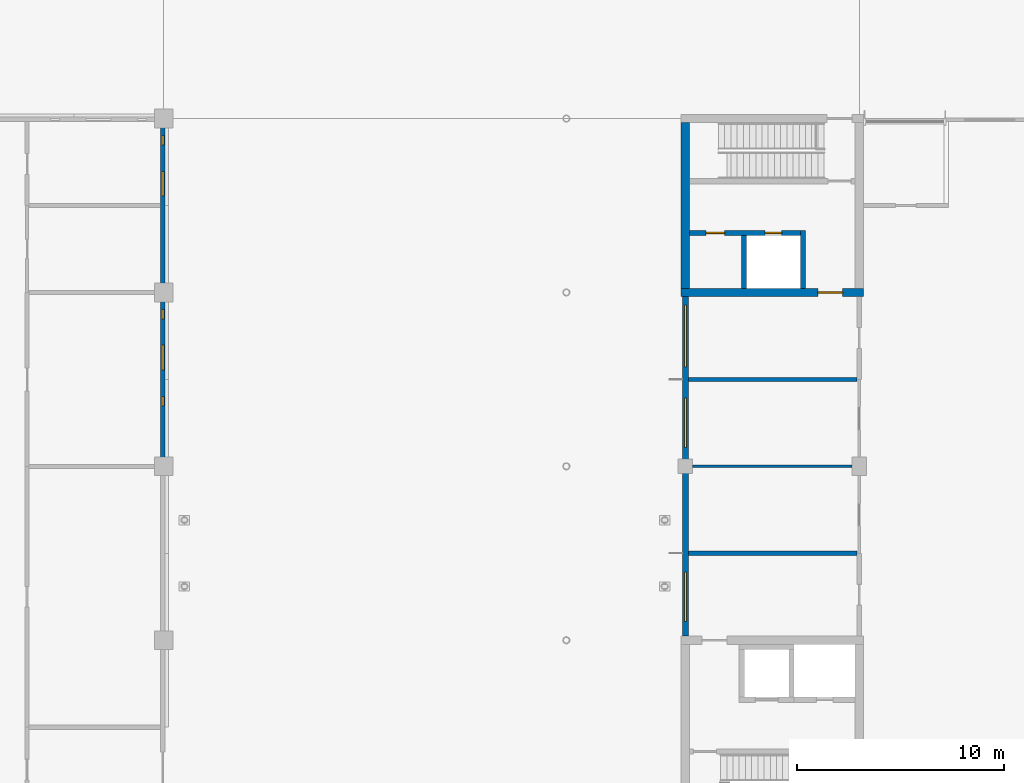
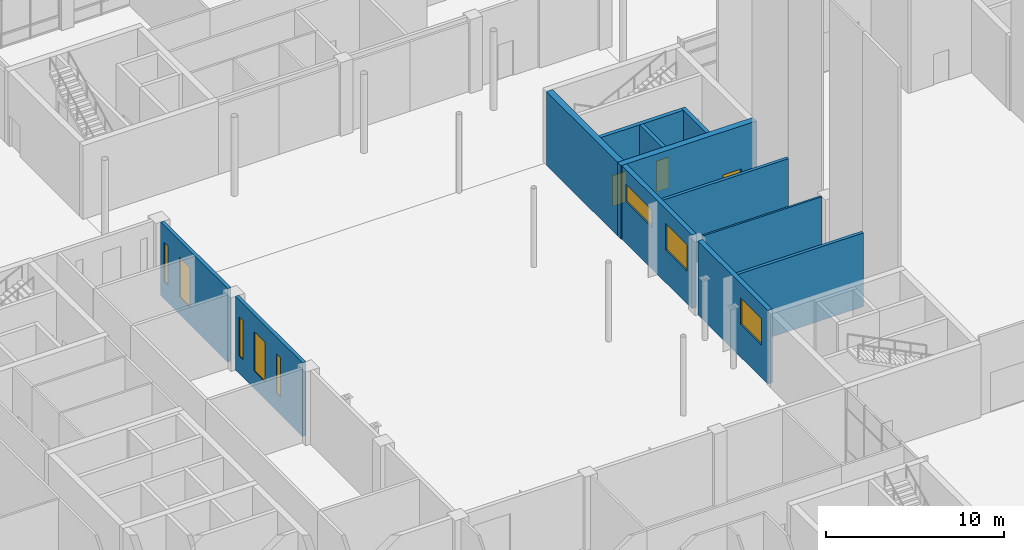
# One storey, part 37 of 76: 12 walls, 8 windows, 3 doors, 11 openings.
"""IFC4 building model written with IfcOpenShell, lengths in metres."""

from ifc_helpers import new_model, si_unit, direction, frame, frame_2d, origin, place, context, subcontext, project, spatial, rectangle, extrude, material, layer, layer_set, type_object, element, fill, save


model = new_model("IFC4")

# Units and contexts
model_context = context("Model", 3, precision=1e-05, world=origin(), true_north=direction((0.0, 1.0)))
body_context = subcontext(model_context, "Body", "Model", "MODEL_VIEW")
ifc_project = project(units=[si_unit("LENGTHUNIT", "METRE"), si_unit("AREAUNIT", "SQUARE_METRE"), si_unit("VOLUMEUNIT", "CUBIC_METRE"), si_unit("PLANEANGLEUNIT", "RADIAN"), si_unit("MASSUNIT", "GRAM", prefix="KILO")], contexts=[model_context])

# Site, building, storey
site_placement = place(None, origin())
site = spatial("IfcSite", under=ifc_project, at=site_placement, CompositionType="ELEMENT")
building_placement = place(site_placement, origin())
building = spatial("IfcBuilding", under=site, at=building_placement, Name="Hlaing Beacon Police Headquarters", CompositionType="ELEMENT")
storey_placement = place(building_placement, origin())
storey = spatial("IfcBuildingStorey", under=building, at=storey_placement, Name="L00", CompositionType="ELEMENT", Elevation=0.0)

# Wall, opening, door
ifc_material_1 = material(Name="Concrete C60/75", Category="concrete")
ifc_layer_1 = layer(ifc_material_1, 0.39990234375)
ifc_layer_set_1 = layer_set([ifc_layer_1], Name="Concrete C60/75")
wall_type_1 = type_object("IfcWallType", Name="Core shear wall 400", PredefinedType="SHEAR", material=ifc_layer_set_1)
wall_1_placement = place(storey_placement, frame((58.60009765625, 58.800048828125, 0.0), z_axis=(0.0, 0.0, 1.0), x_axis=(1.0, 0.0, 0.0)))
wall_1 = element("IfcWall", 1, at=wall_1_placement, inside=storey, type_object=wall_type_1, Name="Core shear wall", PredefinedType="SHEAR", context=body_context, shape_type="SweptSolid", body=[
    extrude(rectangle(XDim=8.7998046875, YDim=0.39990234375, at=frame_2d((4.39990234375, 0.0))), origin(), (0.0, 0.0, 1.0), 5.050048828125),
])
opening_1_placement = place(wall_1_placement, frame((6.60009765625, 0.0, 0.0)))
opening_1 = element("IfcOpeningElement", 2, at=opening_1_placement, cuts=wall_1, Name="Opening L00-906", PredefinedType="OPENING", context=body_context, shape_type="SweptSolid", body=[
    extrude(rectangle(XDim=1.199951171875, YDim=2.10009765625, at=frame_2d((0.60009765625, 1.050048828125))), frame((0.0, 0.2099609375, 0.0), z_axis=(0.0, -1.0, 0.0), x_axis=(1.0, 0.0, 0.0)), (0.0, 0.0, 1.0), 0.419921875),
])
ifc_material_2 = material(Name="Steel fire door leaf", Category="steel")
ifc_layer_2 = layer(ifc_material_2, 0.070068359375)
ifc_layer_set_2 = layer_set([ifc_layer_2], Name="Steel fire door leaf")
door_type_1 = type_object("IfcDoorType", Name="Steel fire door FD60S 1200x2100", OperationType="SINGLE_SWING_LEFT", PredefinedType="DOOR", material=ifc_layer_set_2)
door_1_placement = place(opening_1_placement, origin())
door_1 = element("IfcDoor", 3, at=door_1_placement, inside=storey, type_object=door_type_1, Name="Door Stair Lobby ST-B Entry", OperationType="SINGLE_SWING_RIGHT", OverallHeight=2.10009765625, OverallWidth=1.199951171875, PredefinedType="DOOR", context=body_context, shape_type="SweptSolid", body=[
    extrude(rectangle(XDim=1.199951171875, YDim=2.10009765625, at=frame_2d((0.60009765625, 1.050048828125))), frame((0.0, 0.03515625, 0.0), z_axis=(0.0, -1.0, 0.0), x_axis=(1.0, 0.0, 0.0)), (0.0, 0.0, 1.0), 0.070068359375),
])
fill(opening_1, door_1)

# Walls
wall_2_placement = place(storey_placement, frame((58.800048828125, 59.0, 0.0), z_axis=(0.0, 0.0, 1.0), x_axis=(0.0, 1.0, 0.0)))
element("IfcWall", 4, at=wall_2_placement, inside=storey, type_object=wall_type_1, Name="Core shear wall", PredefinedType="SHEAR", context=body_context, shape_type="SweptSolid", body=[
    extrude(rectangle(XDim=8.0, YDim=0.39990234375, at=frame_2d((4.0, 0.0))), origin(), (0.0, 0.0, 1.0), 5.050048828125),
])
ifc_material_3 = material(Name="Concrete blockwork 7.5 N/mm2", Category="masonry")
ifc_layer_3 = layer(ifc_material_3, 0.199951171875)
ifc_layer_set_3 = layer_set([ifc_layer_3], Name="Concrete blockwork 7.5 N/mm2")
wall_type_2 = type_object("IfcWallType", Name="Lobby wall EI 120 200", PredefinedType="PARTITIONING", material=ifc_layer_set_3)
for number, where, z_axis, x_axis, name in (
    (5, (58.949951171875, 46.199951171875, 0.0), (0.0, 0.0, 1.0), (1.0, 0.0, 0.0), "Lobby wall EI 120 200"),
    (6, (58.949951171875, 54.60009765625, 0.0), (0.0, 0.0, 1.0), (1.0, 0.0, 0.0), "Lobby wall EI 120 200"),
):
    element("IfcWall", number, at=place(storey_placement, frame(where, z_axis=z_axis, x_axis=x_axis)), inside=storey, type_object=wall_type_2, Name=name, PredefinedType="PARTITIONING", context=body_context, shape_type="SweptSolid", body=[
        extrude(rectangle(XDim=8.150146484375, YDim=0.199951171875, at=frame_2d((4.0751953125, 0.0))), origin(), (0.0, 0.0, 1.0), 5.050048828125),
    ])
ifc_material_4 = material(Name="Gypsum board partition")
ifc_layer_4 = layer(ifc_material_4, 0.125)
ifc_layer_set_4 = layer_set([ifc_layer_4], Name="Gypsum board partition")
wall_type_3 = type_object("IfcWallType", Name="Partition 125", PredefinedType="PARTITIONING", material=ifc_layer_set_4)
wall_3_placement = place(storey_placement, frame((59.14990234375, 50.39990234375, 0.0), z_axis=(0.0, 0.0, 1.0), x_axis=(1.0, 0.0, 0.0)))
element("IfcWall", 7, at=wall_3_placement, inside=storey, type_object=wall_type_3, Name="Partition 125", PredefinedType="PARTITIONING", context=body_context, shape_type="SweptSolid", body=[
    extrude(rectangle(XDim=7.7001953125, YDim=0.125, at=frame_2d((3.85009765625, 0.0))), origin(), (0.0, 0.0, 1.0), 5.050048828125),
])

# Wall, openings, windows
ifc_material_5 = material(Name="Concrete C40/50 precast ribbed cladding", Category="concrete")
ifc_layer_5 = layer(ifc_material_5, 0.300048828125)
ifc_layer_set_5 = layer_set([ifc_layer_5], Name="Concrete C40/50 precast ribbed cladding")
wall_type_4 = type_object("IfcWallType", Name="Precast ribbed wall 300", PredefinedType="SOLIDWALL", material=ifc_layer_set_5)
wall_4_placement = place(storey_placement, frame((58.800048828125, 58.60009765625, 0.0), z_axis=(0.0, 0.0, 1.0), x_axis=(0.0, -1.0, 0.0)))
wall_4 = element("IfcWall", 8, at=wall_4_placement, inside=storey, type_object=wall_type_4, Name="External wall L00 W045", PredefinedType="SOLIDWALL", context=body_context, shape_type="SweptSolid", body=[
    extrude(rectangle(XDim=7.8701171875, YDim=0.300048828125, at=frame_2d((3.93505859375, 0.0))), origin(), (0.0, 0.0, 1.0), 5.050048828125),
])
opening_2_placement = place(wall_4_placement, frame((0.39990234375, 0.0, 2.85009765625)))
opening_2 = element("IfcOpeningElement", 9, at=opening_2_placement, cuts=wall_4, Name="Opening WN10", PredefinedType="OPENING", context=body_context, shape_type="SweptSolid", body=[
    extrude(rectangle(XDim=3.0, YDim=1.199951171875, at=frame_2d((1.5, 0.60009765625))), frame((0.0, 0.16015625, 0.0), z_axis=(0.0, -1.0, 0.0), x_axis=(1.0, 0.0, 0.0)), (0.0, 0.0, 1.0), 0.320068359375),
])
opening_3_placement = place(wall_4_placement, frame((4.89990234375, 0.0, 2.25)))
opening_3 = element("IfcOpeningElement", 10, at=opening_3_placement, cuts=wall_4, Name="Opening WN11", PredefinedType="OPENING", context=body_context, shape_type="SweptSolid", body=[
    extrude(rectangle(XDim=2.39990234375, YDim=1.800048828125, at=frame_2d((1.199951171875, 0.89990234375))), frame((0.0, 0.16015625, 0.0), z_axis=(0.0, -1.0, 0.0), x_axis=(1.0, 0.0, 0.0)), (0.0, 0.0, 1.0), 0.320068359375),
])
ifc_material_6 = material(Name="Aluminium frame with solar control glazing", Category="aluminium")
window_type_1 = type_object("IfcWindowType", Name="Clerestory window 2400x1800 frame 100", PartitioningType="SINGLE_PANEL", PredefinedType="WINDOW", material=ifc_material_6)
window_1_placement = place(opening_3_placement, origin())
window_1 = element("IfcWindow", 11, at=window_1_placement, inside=storey, type_object=window_type_1, Name="Window L00 WD", OverallHeight=1.800048828125, OverallWidth=2.39990234375, PartitioningType="SINGLE_PANEL", PredefinedType="WINDOW", context=body_context, shape_type="SweptSolid", body=[
    extrude(rectangle(XDim=2.39990234375, YDim=1.800048828125, at=frame_2d((1.199951171875, 0.89990234375))), frame((0.0, 0.050048828125, 0.0), z_axis=(0.0, -1.0, 0.0), x_axis=(1.0, 0.0, 0.0)), (0.0, 0.0, 1.0), 0.10009765625),
])
fill(opening_3, window_1)
ifc_material_7 = material(Name="Aluminium frame with solar control glazing", Category="aluminium")
window_type_2 = type_object("IfcWindowType", Name="Clerestory window wide 3000x1200 frame 100", PartitioningType="SINGLE_PANEL", PredefinedType="WINDOW", material=ifc_material_7)
window_2_placement = place(opening_2_placement, origin())
window_2 = element("IfcWindow", 12, at=window_2_placement, inside=storey, type_object=window_type_2, Name="Window L00 WD2", OverallHeight=1.199951171875, OverallWidth=3.0, PartitioningType="SINGLE_PANEL", PredefinedType="WINDOW", context=body_context, shape_type="SweptSolid", body=[
    extrude(rectangle(XDim=3.0, YDim=1.199951171875, at=frame_2d((1.5, 0.60009765625))), frame((0.0, 0.050048828125, 0.0), z_axis=(0.0, -1.0, 0.0), x_axis=(1.0, 0.0, 0.0)), (0.0, 0.0, 1.0), 0.10009765625),
])
fill(opening_2, window_2)

# Wall, opening, window
wall_5_placement = place(storey_placement, frame((58.800048828125, 50.070068359375, 0.0), z_axis=(0.0, 0.0, 1.0), x_axis=(0.0, -1.0, 0.0)))
wall_5 = element("IfcWall", 13, at=wall_5_placement, inside=storey, type_object=wall_type_4, Name="External wall L00 W046", PredefinedType="SOLIDWALL", context=body_context, shape_type="SweptSolid", body=[
    extrude(rectangle(XDim=7.8701171875, YDim=0.300048828125, at=frame_2d((3.93505859375, 0.0))), origin(), (0.0, 0.0, 1.0), 5.050048828125),
])
opening_4_placement = place(wall_5_placement, frame((4.77001953125, 0.0, 2.25)))
opening_4 = element("IfcOpeningElement", 14, at=opening_4_placement, cuts=wall_5, Name="Opening WN11", PredefinedType="OPENING", context=body_context, shape_type="SweptSolid", body=[
    extrude(rectangle(XDim=2.39990234375, YDim=1.800048828125, at=frame_2d((1.199951171875, 0.89990234375))), frame((0.0, 0.16015625, 0.0), z_axis=(0.0, -1.0, 0.0), x_axis=(1.0, 0.0, 0.0)), (0.0, 0.0, 1.0), 0.320068359375),
])
window_3_placement = place(opening_4_placement, origin())
window_3 = element("IfcWindow", 15, at=window_3_placement, inside=storey, type_object=window_type_1, Name="Window L00 WD", OverallHeight=1.800048828125, OverallWidth=2.39990234375, PartitioningType="SINGLE_PANEL", PredefinedType="WINDOW", context=body_context, shape_type="SweptSolid", body=[
    extrude(rectangle(XDim=2.39990234375, YDim=1.800048828125, at=frame_2d((1.199951171875, 0.89990234375))), frame((0.0, 0.050048828125, 0.0), z_axis=(0.0, -1.0, 0.0), x_axis=(1.0, 0.0, 0.0)), (0.0, 0.0, 1.0), 0.10009765625),
])
fill(opening_4, window_3)

# Wall, openings, windows
ifc_material_8 = material(Name="Fibre cement ribbed cladding on insulated frame")
ifc_layer_6 = layer(ifc_material_8, 0.22509765625)
ifc_layer_set_6 = layer_set([ifc_layer_6], Name="Fibre cement ribbed cladding on insulated frame")
wall_type_5 = type_object("IfcWallType", Name="Ribbed fibre-cement clad wall 225", PredefinedType="SOLIDWALL", material=ifc_layer_set_6)
wall_6_placement = place(storey_placement, frame((33.5625, 50.830078125, 0.0), z_axis=(0.0, 0.0, 1.0), x_axis=(0.0, 1.0, 0.0)))
wall_6 = element("IfcWall", 16, at=wall_6_placement, inside=storey, type_object=wall_type_5, Name="External wall L00 E006", PredefinedType="SOLIDWALL", context=body_context, shape_type="SweptSolid", body=[
    extrude(rectangle(XDim=7.5400390625, YDim=0.22509765625, at=frame_2d((3.77001953125, 0.0))), origin(), (0.0, 0.0, 1.0), 5.050048828125),
])
opening_5_placement = place(wall_6_placement, frame((2.4951171875, 0.0, 1.199951171875)))
opening_5 = element("IfcOpeningElement", 17, at=opening_5_placement, cuts=wall_6, Name="Opening WN2", PredefinedType="OPENING", context=body_context, shape_type="SweptSolid", body=[
    extrude(rectangle(XDim=0.449951171875, YDim=2.699951171875, at=frame_2d((0.22509765625, 1.35009765625))), frame((0.0, 0.12255859375, 0.0), z_axis=(0.0, -1.0, 0.0), x_axis=(1.0, 0.0, 0.0)), (0.0, 0.0, 1.0), 0.2451171875),
])
opening_6_placement = place(wall_6_placement, frame((4.219970703125, 0.0, 1.199951171875)))
opening_6 = element("IfcOpeningElement", 18, at=opening_6_placement, cuts=wall_6, Name="Opening WN3", PredefinedType="OPENING", context=body_context, shape_type="SweptSolid", body=[
    extrude(rectangle(XDim=1.199951171875, YDim=2.699951171875, at=frame_2d((0.60009765625, 1.35009765625))), frame((0.0, 0.12255859375, 0.0), z_axis=(0.0, -1.0, 0.0), x_axis=(1.0, 0.0, 0.0)), (0.0, 0.0, 1.0), 0.2451171875),
])
opening_7_placement = place(wall_6_placement, frame((6.695068359375, 0.0, 1.199951171875)))
opening_7 = element("IfcOpeningElement", 19, at=opening_7_placement, cuts=wall_6, Name="Opening WN2", PredefinedType="OPENING", context=body_context, shape_type="SweptSolid", body=[
    extrude(rectangle(XDim=0.449951171875, YDim=2.699951171875, at=frame_2d((0.22509765625, 1.35009765625))), frame((0.0, 0.12255859375, 0.0), z_axis=(0.0, -1.0, 0.0), x_axis=(1.0, 0.0, 0.0)), (0.0, 0.0, 1.0), 0.2451171875),
])
ifc_material_9 = material(Name="Aluminium frame with solar control glazing", Category="aluminium")
window_type_3 = type_object("IfcWindowType", Name="Module window 1200x2700 frame 100", PartitioningType="SINGLE_PANEL", PredefinedType="WINDOW", material=ifc_material_9)
window_4_placement = place(opening_6_placement, origin())
window_4 = element("IfcWindow", 20, at=window_4_placement, inside=storey, type_object=window_type_3, Name="Window L00 WC", OverallHeight=2.699951171875, OverallWidth=1.199951171875, PartitioningType="SINGLE_PANEL", PredefinedType="WINDOW", context=body_context, shape_type="SweptSolid", body=[
    extrude(rectangle(XDim=1.199951171875, YDim=2.699951171875, at=frame_2d((0.60009765625, 1.35009765625))), frame((0.0, 0.050048828125, 0.0), z_axis=(0.0, -1.0, 0.0), x_axis=(1.0, 0.0, 0.0)), (0.0, 0.0, 1.0), 0.10009765625),
])
fill(opening_6, window_4)
ifc_material_10 = material(Name="Aluminium frame with solar control glazing", Category="aluminium")
window_type_4 = type_object("IfcWindowType", Name="Slot window 450x2700 frame 100", PartitioningType="SINGLE_PANEL", PredefinedType="WINDOW", material=ifc_material_10)
window_5_placement = place(opening_5_placement, origin())
window_5 = element("IfcWindow", 21, at=window_5_placement, inside=storey, type_object=window_type_4, Name="Window L00 WS", OverallHeight=2.699951171875, OverallWidth=0.449951171875, PartitioningType="SINGLE_PANEL", PredefinedType="WINDOW", context=body_context, shape_type="SweptSolid", body=[
    extrude(rectangle(XDim=0.449951171875, YDim=2.699951171875, at=frame_2d((0.22509765625, 1.35009765625))), frame((0.0, 0.050048828125, 0.0), z_axis=(0.0, -1.0, 0.0), x_axis=(1.0, 0.0, 0.0)), (0.0, 0.0, 1.0), 0.10009765625),
])
fill(opening_5, window_5)
window_6_placement = place(opening_7_placement, origin())
window_6 = element("IfcWindow", 22, at=window_6_placement, inside=storey, type_object=window_type_4, Name="Window L00 WS", OverallHeight=2.699951171875, OverallWidth=0.449951171875, PartitioningType="SINGLE_PANEL", PredefinedType="WINDOW", context=body_context, shape_type="SweptSolid", body=[
    extrude(rectangle(XDim=0.449951171875, YDim=2.699951171875, at=frame_2d((0.22509765625, 1.35009765625))), frame((0.0, 0.050048828125, 0.0), z_axis=(0.0, -1.0, 0.0), x_axis=(1.0, 0.0, 0.0)), (0.0, 0.0, 1.0), 0.10009765625),
])
fill(opening_7, window_6)

wall_7_placement = place(storey_placement, frame((33.5625, 59.22998046875, 0.0), z_axis=(0.0, 0.0, 1.0), x_axis=(0.0, 1.0, 0.0)))
wall_7 = element("IfcWall", 23, at=wall_7_placement, inside=storey, type_object=wall_type_5, Name="External wall L00 E007", PredefinedType="SOLIDWALL", context=body_context, shape_type="SweptSolid", body=[
    extrude(rectangle(XDim=7.5400390625, YDim=0.22509765625, at=frame_2d((3.77001953125, 0.0))), origin(), (0.0, 0.0, 1.0), 5.050048828125),
])
opening_8_placement = place(wall_7_placement, frame((4.219970703125, 0.0, 1.199951171875)))
opening_8 = element("IfcOpeningElement", 24, at=opening_8_placement, cuts=wall_7, Name="Opening WN3", PredefinedType="OPENING", context=body_context, shape_type="SweptSolid", body=[
    extrude(rectangle(XDim=1.199951171875, YDim=2.699951171875, at=frame_2d((0.60009765625, 1.35009765625))), frame((0.0, 0.12255859375, 0.0), z_axis=(0.0, -1.0, 0.0), x_axis=(1.0, 0.0, 0.0)), (0.0, 0.0, 1.0), 0.2451171875),
])
opening_9_placement = place(wall_7_placement, frame((6.695068359375, 0.0, 1.199951171875)))
opening_9 = element("IfcOpeningElement", 25, at=opening_9_placement, cuts=wall_7, Name="Opening WN2", PredefinedType="OPENING", context=body_context, shape_type="SweptSolid", body=[
    extrude(rectangle(XDim=0.449951171875, YDim=2.699951171875, at=frame_2d((0.22509765625, 1.35009765625))), frame((0.0, 0.12255859375, 0.0), z_axis=(0.0, -1.0, 0.0), x_axis=(1.0, 0.0, 0.0)), (0.0, 0.0, 1.0), 0.2451171875),
])
window_7_placement = place(opening_8_placement, origin())
window_7 = element("IfcWindow", 26, at=window_7_placement, inside=storey, type_object=window_type_3, Name="Window L00 WC", OverallHeight=2.699951171875, OverallWidth=1.199951171875, PartitioningType="SINGLE_PANEL", PredefinedType="WINDOW", context=body_context, shape_type="SweptSolid", body=[
    extrude(rectangle(XDim=1.199951171875, YDim=2.699951171875, at=frame_2d((0.60009765625, 1.35009765625))), frame((0.0, 0.050048828125, 0.0), z_axis=(0.0, -1.0, 0.0), x_axis=(1.0, 0.0, 0.0)), (0.0, 0.0, 1.0), 0.10009765625),
])
fill(opening_8, window_7)
window_8_placement = place(opening_9_placement, origin())
window_8 = element("IfcWindow", 27, at=window_8_placement, inside=storey, type_object=window_type_4, Name="Window L00 WS", OverallHeight=2.699951171875, OverallWidth=0.449951171875, PartitioningType="SINGLE_PANEL", PredefinedType="WINDOW", context=body_context, shape_type="SweptSolid", body=[
    extrude(rectangle(XDim=0.449951171875, YDim=2.699951171875, at=frame_2d((0.22509765625, 1.35009765625))), frame((0.0, 0.050048828125, 0.0), z_axis=(0.0, -1.0, 0.0), x_axis=(1.0, 0.0, 0.0)), (0.0, 0.0, 1.0), 0.10009765625),
])
fill(opening_9, window_8)

# Wall
ifc_material_11 = material(Name="Concrete C40/50", Category="concrete")
ifc_layer_7 = layer(ifc_material_11, 0.25)
ifc_layer_set_7 = layer_set([ifc_layer_7], Name="Concrete C40/50")
wall_type_6 = type_object("IfcWallType", Name="Shaft wall 250", PredefinedType="SOLIDWALL", material=ifc_layer_set_7)
wall_8_placement = place(storey_placement, frame((64.47509765625, 61.800048828125, 0.0), z_axis=(0.0, 0.0, 1.0), x_axis=(0.0, -1.0, 0.0)))
element("IfcWall", 28, at=wall_8_placement, inside=storey, type_object=wall_type_6, Name="Lobby wall", PredefinedType="SOLIDWALL", context=body_context, shape_type="SweptSolid", body=[
    extrude(rectangle(XDim=2.800048828125, YDim=0.25, at=frame_2d((1.39990234375, 0.0))), origin(), (0.0, 0.0, 1.0), 5.050048828125),
])

# Wall, openings, doors
wall_9_placement = place(storey_placement, frame((64.35009765625, 61.675048828125, 0.0), z_axis=(0.0, 0.0, 1.0), x_axis=(-1.0, 0.0, 0.0)))
wall_9 = element("IfcWall", 29, at=wall_9_placement, inside=storey, type_object=wall_type_6, Name="Lobby wall", PredefinedType="SOLIDWALL", context=body_context, shape_type="SweptSolid", body=[
    extrude(rectangle(XDim=5.35009765625, YDim=0.25, at=frame_2d((2.675048828125, 0.0))), origin(), (0.0, 0.0, 1.0), 5.050048828125),
])
opening_10_placement = place(wall_9_placement, frame((3.64990234375, 0.0, 0.0)))
opening_10 = element("IfcOpeningElement", 30, at=opening_10_placement, cuts=wall_9, Name="Opening L00-905", PredefinedType="OPENING", context=body_context, shape_type="SweptSolid", body=[
    extrude(rectangle(XDim=0.89990234375, YDim=2.10009765625, at=frame_2d((0.449951171875, 1.050048828125))), frame((0.0, 0.135009765625, 0.0), z_axis=(0.0, -1.0, 0.0), x_axis=(1.0, 0.0, 0.0)), (0.0, 0.0, 1.0), 0.27001953125),
])
opening_11_placement = place(wall_9_placement, frame((0.89990234375, 0.0, 0.0)))
opening_11 = element("IfcOpeningElement", 31, at=opening_11_placement, cuts=wall_9, Name="Opening L00-907", PredefinedType="OPENING", context=body_context, shape_type="SweptSolid", body=[
    extrude(rectangle(XDim=0.800048828125, YDim=2.10009765625, at=frame_2d((0.39990234375, 1.050048828125))), frame((0.0, 0.135009765625, 0.0), z_axis=(0.0, -1.0, 0.0), x_axis=(1.0, 0.0, 0.0)), (0.0, 0.0, 1.0), 0.27001953125),
])
ifc_material_12 = material(Name="Steel fire door leaf", Category="steel")
ifc_layer_8 = layer(ifc_material_12, 0.070068359375)
ifc_layer_set_8 = layer_set([ifc_layer_8], Name="Steel fire door leaf")
door_type_2 = type_object("IfcDoorType", Name="Steel fire door FD60 800x2100", OperationType="SINGLE_SWING_LEFT", PredefinedType="DOOR", material=ifc_layer_set_8)
door_2_placement = place(opening_11_placement, origin())
door_2 = element("IfcDoor", 32, at=door_2_placement, inside=storey, type_object=door_type_2, Name="Door Services Riser", OperationType="SINGLE_SWING_RIGHT", OverallHeight=2.10009765625, OverallWidth=0.800048828125, PredefinedType="DOOR", context=body_context, shape_type="SweptSolid", body=[
    extrude(rectangle(XDim=0.800048828125, YDim=2.10009765625, at=frame_2d((0.39990234375, 1.050048828125))), frame((0.0, 0.03515625, 0.0), z_axis=(0.0, -1.0, 0.0), x_axis=(1.0, 0.0, 0.0)), (0.0, 0.0, 1.0), 0.070068359375),
])
fill(opening_11, door_2)
ifc_material_13 = material(Name="Steel fire door leaf", Category="steel")
ifc_layer_9 = layer(ifc_material_13, 0.070068359375)
ifc_layer_set_9 = layer_set([ifc_layer_9], Name="Steel fire door leaf")
door_type_3 = type_object("IfcDoorType", Name="Steel fire door FD60 900x2100", OperationType="SINGLE_SWING_LEFT", PredefinedType="DOOR", material=ifc_layer_set_9)
door_3_placement = place(opening_10_placement, origin())
door_3 = element("IfcDoor", 33, at=door_3_placement, inside=storey, type_object=door_type_3, Name="Door Cleaners' Store", OperationType="SINGLE_SWING_LEFT", OverallHeight=2.10009765625, OverallWidth=0.89990234375, PredefinedType="DOOR", context=body_context, shape_type="SweptSolid", body=[
    extrude(rectangle(XDim=0.89990234375, YDim=2.10009765625, at=frame_2d((0.449951171875, 1.050048828125))), frame((0.0, 0.03515625, 0.0), z_axis=(0.0, -1.0, 0.0), x_axis=(1.0, 0.0, 0.0)), (0.0, 0.0, 1.0), 0.070068359375),
])
fill(opening_10, door_3)

# Wall
wall_10_placement = place(storey_placement, frame((61.625, 61.550048828125, 0.0), z_axis=(0.0, 0.0, 1.0), x_axis=(0.0, -1.0, 0.0)))
element("IfcWall", 34, at=wall_10_placement, inside=storey, type_object=wall_type_6, Name="Riser wall", PredefinedType="SOLIDWALL", context=body_context, shape_type="SweptSolid", body=[
    extrude(rectangle(XDim=2.550048828125, YDim=0.25, at=frame_2d((1.27490234375, 0.0))), origin(), (0.0, 0.0, 1.0), 5.050048828125),
])

save(model, "model.ifc")
